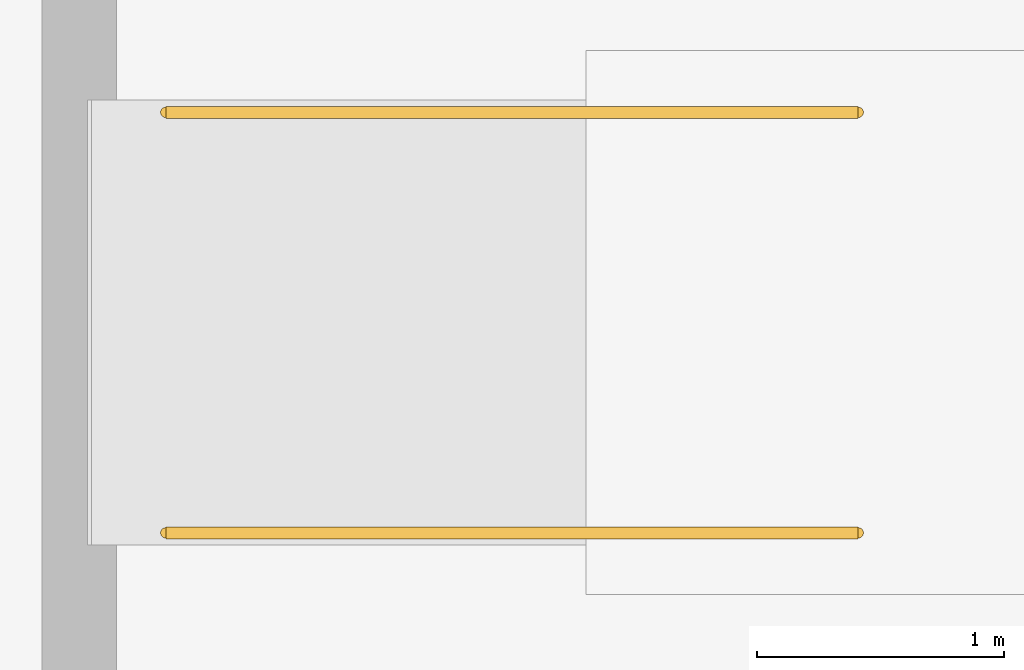
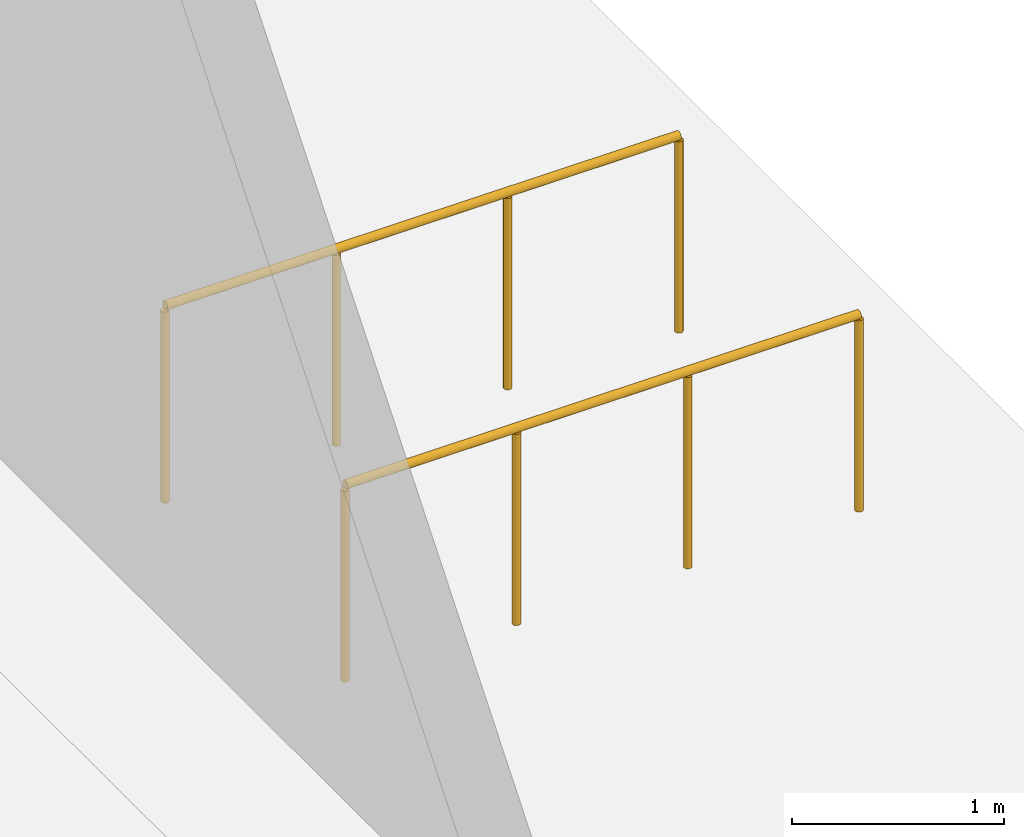
# One storey, part 12 of 13: 2 railings.
"""IFC4 building model written with IfcOpenShell, lengths in metres."""

import ifcopenshell
import ifcopenshell.guid

model = None  # the IFC model being written
_history = None  # IfcOwnerHistory: only IFC2X3 demands one
_inside = {}  # id of a spatial element -> (the spatial element, [elements in it])
_under = {}  # id of a project, library or spatial element -> (it, [spatial elements below it])
_declared = {}  # id of a project -> (the project, [libraries it declares])
_typed = {}  # id of a type object -> (the type object, [elements of that type])
_made_of = {}  # id of a material, layer set ... -> (it, [elements and type objects made of it])


def new_model(schema):
    """Start an empty IFC model of exactly this schema.

    Asked for "IFC4X3", IfcOpenShell would pick the latest addendum, in which some entities
    have other attributes; the version numbers below select the first issue.
    IFC2X3 requires an IfcOwnerHistory on every rooted entity: one is made here for all.
    """
    global model, _history
    if schema == "IFC4X3":
        model = ifcopenshell.file(schema_version=(4, 3, 0, 0))
    else:
        model = ifcopenshell.file(schema=schema)
    _inside.clear()
    _under.clear()
    _declared.clear()
    _typed.clear()
    _made_of.clear()
    _history = None
    if model.schema == "IFC2X3":
        org = make("IfcOrganization", Name="unknown")
        user = make(
            "IfcPersonAndOrganization",
            ThePerson=make("IfcPerson", FamilyName="unknown"),
            TheOrganization=org,
        )
        app = make(
            "IfcApplication",
            ApplicationDeveloper=org,
            Version="unknown",
            ApplicationFullName="unknown",
            ApplicationIdentifier="unknown",
        )
        _history = make(
            "IfcOwnerHistory",
            OwningUser=user,
            OwningApplication=app,
            ChangeAction="ADDED",
            CreationDate=0,
        )
    return model


def make(cls, **values):
    """One entity of the class cls with the attributes given. An attribute that is None is left unset."""
    return model.create_entity(
        cls, **{name: value for name, value in values.items() if value is not None}
    )


def rooted(cls, **values):
    """An entity with a GlobalId (a new one), such as an element, a storey or a relation."""
    return make(cls, GlobalId=ifcopenshell.guid.new(), OwnerHistory=_history, **values)


def si_unit(unit_type, name, prefix=None):
    """IfcSIUnit, for example si_unit("LENGTHUNIT", "METRE", prefix="MILLI")."""
    return make("IfcSIUnit", UnitType=unit_type, Prefix=prefix, Name=name)


def assignment(units):
    """IfcUnitAssignment: the units of a project."""
    return None if units is None else make("IfcUnitAssignment", Units=units)


def point(xyz):
    """IfcCartesianPoint."""
    return None if xyz is None else make("IfcCartesianPoint", Coordinates=xyz)


def direction(xyz):
    """IfcDirection."""
    return None if xyz is None else make("IfcDirection", DirectionRatios=xyz)


def frame(location, z_axis=None, x_axis=None):
    """IfcAxis2Placement3D, a coordinate frame: its origin and axes. An axis left out is left unset."""
    return make(
        "IfcAxis2Placement3D",
        Location=point(location),
        Axis=direction(z_axis),
        RefDirection=direction(x_axis),
    )


def frame_2d(location, x_axis=None):
    """IfcAxis2Placement2D, a coordinate frame in the plane: its origin and x axis."""
    return make(
        "IfcAxis2Placement2D", Location=point(location), RefDirection=direction(x_axis)
    )


def origin():
    """The frame at (0, 0, 0) with its axes left unset."""
    return frame((0.0, 0.0, 0.0))


def origin_2d():
    """The frame at (0, 0) in the plane with its x axis left unset."""
    return frame_2d((0.0, 0.0))


def place(relative_to, where):
    """IfcLocalPlacement: puts the frame where relative to a parent placement (None: the world)."""
    return make(
        "IfcLocalPlacement", PlacementRelTo=relative_to, RelativePlacement=where
    )


def context(
    kind, dimensions, precision=None, world=None, true_north=None, identifier=None
):
    """IfcGeometricRepresentationContext, for example the 3D "Model" context."""
    return make(
        "IfcGeometricRepresentationContext",
        ContextIdentifier=identifier,
        ContextType=kind,
        CoordinateSpaceDimension=dimensions,
        Precision=precision,
        WorldCoordinateSystem=world,
        TrueNorth=true_north,
    )


def subcontext(parent, identifier, kind, view, scale=None):
    """IfcGeometricRepresentationSubContext, for example "Body" below "Model"."""
    return make(
        "IfcGeometricRepresentationSubContext",
        ContextIdentifier=identifier,
        ContextType=kind,
        ParentContext=parent,
        TargetScale=scale,
        TargetView=view,
    )


def project(units=None, contexts=None):
    """IfcProject with its units and contexts."""
    return rooted(
        "IfcProject",
        Name="project",
        RepresentationContexts=contexts,
        UnitsInContext=assignment(units),
    )


def spatial(cls, under=None, at=None, **own):
    """A site, building, storey or space (cls), placed at a placement, below another one or the project."""
    s = rooted(cls, ObjectPlacement=at, **own)
    if under is not None:
        _under.setdefault(under.id(), (under, []))[1].append(s)
    return s


def profile(cls, at=None, kind="AREA", **sizes):
    """A parametric profile (cls). Its sizes go by their IFC names, for example OverallWidth=200.0."""
    return make(cls, ProfileType=kind, Position=at, **sizes)


def circle(**sizes):
    """IfcCircleProfileDef."""
    return profile("IfcCircleProfileDef", **sizes)


def extrude(swept, where, along, depth):
    """IfcExtrudedAreaSolid: the profile swept, set in the frame where, extruded along a direction by depth."""
    return make(
        "IfcExtrudedAreaSolid",
        SweptArea=swept,
        Position=where,
        ExtrudedDirection=direction(along),
        Depth=depth,
    )


def shape(context_of_items, identifier, shape_type, items):
    """IfcShapeRepresentation: the items that make up one representation, for example the "Body"."""
    return make(
        "IfcShapeRepresentation",
        ContextOfItems=context_of_items,
        RepresentationIdentifier=identifier,
        RepresentationType=shape_type,
        Items=items,
    )


def material(Name=None, Category=None):
    """IfcMaterial."""
    return make("IfcMaterial", Name=Name, Category=Category)


def made_of(thing, what):
    """Note that an element or type object is made of a material, layer set ...; save() writes the relation."""
    if what is not None:
        _made_of.setdefault(what.id(), (what, []))[1].append(thing)
    return thing


def type_object(cls, material=None, **own):
    """A type object (cls), such as IfcWallType, which elements share."""
    return made_of(rooted(cls, **own), material)


def element(
    cls,
    number,
    at=None,
    inside=None,
    cuts=None,
    type_object=None,
    material=None,
    context=None,
    identifier="Body",
    shape_type=None,
    held_by="IfcProductDefinitionShape",
    body=None,
    shapes=None,
    **own,
):
    """One element of the class cls, such as IfcWall. Its Tag is "e" and its number.

    at: its placement. inside: the storey or other place that contains it. cuts: it is an
    opening in that element (IfcRelVoidsElement). A single representation is given by context,
    identifier, shape_type and body (its items); several are given by shapes. held_by: the class
    of the entity that holds the representations. save() writes the other relations.
    """
    e = rooted(cls, Tag="e%d" % number, ObjectPlacement=at, **own)
    if body is not None:
        shapes = [shape(context, identifier, shape_type, body)]
    if shapes is not None:
        e.Representation = make(held_by, Representations=shapes)
    if inside is not None:
        _inside.setdefault(inside.id(), (inside, []))[1].append(e)
    if cuts is not None:
        rooted(
            "IfcRelVoidsElement", RelatingBuildingElement=cuts, RelatedOpeningElement=e
        )
    if type_object is not None:
        _typed.setdefault(type_object.id(), (type_object, []))[1].append(e)
    return made_of(e, material)


def aggregate(whole, parts):
    """IfcRelAggregates: a whole, such as a stair, and the parts it consists of."""
    return rooted("IfcRelAggregates", RelatingObject=whole, RelatedObjects=parts)


def save(model, path):
    """Write the relations noted so far, then the file.

    IfcRelAggregates (storeys below a building ...), IfcRelContainedInSpatialStructure (elements
    in a storey), IfcRelDefinesByType, IfcRelAssociatesMaterial and IfcRelDeclares: one each for
    every whole, place, type object, material and project.
    """
    for whole, parts in _under.values():
        aggregate(whole, parts)
    for where, things in _inside.values():
        rooted(
            "IfcRelContainedInSpatialStructure",
            RelatedElements=things,
            RelatingStructure=where,
        )
    for kind, things in _typed.values():
        rooted("IfcRelDefinesByType", RelatedObjects=things, RelatingType=kind)
    for what, things in _made_of.values():
        rooted("IfcRelAssociatesMaterial", RelatedObjects=things, RelatingMaterial=what)
    for by, libraries in _declared.values():
        rooted("IfcRelDeclares", RelatingContext=by, RelatedDefinitions=libraries)
    model.write(path)


model = new_model("IFC4")

# Units and contexts
model_context = context("Model", 3, precision=1e-05, world=origin(), true_north=direction((0.0, 1.0)))
body_context = subcontext(model_context, "Body", "Model", "MODEL_VIEW")
ifc_project = project(units=[si_unit("LENGTHUNIT", "METRE"), si_unit("AREAUNIT", "SQUARE_METRE"), si_unit("VOLUMEUNIT", "CUBIC_METRE"), si_unit("PLANEANGLEUNIT", "RADIAN"), si_unit("MASSUNIT", "GRAM", prefix="KILO")], contexts=[model_context])

# Site, building, storey
site_placement = place(None, origin())
site = spatial("IfcSite", under=ifc_project, at=site_placement, CompositionType="ELEMENT")
building_placement = place(site_placement, origin())
building = spatial("IfcBuilding", under=site, at=building_placement, Name="Calvemar Wedge Station Tower", CompositionType="ELEMENT")
storey_placement = place(building_placement, origin())
storey = spatial("IfcBuildingStorey", under=building, at=storey_placement, Name="L01", CompositionType="ELEMENT", Elevation=0.0)

# Railings
ifc_material = material(Name="Painted steel guardrail ASTM A500 Grade C", Category="steel")
railing_type = type_object("IfcRailingType", Name="RL-STAIR-GUARD-1150", PredefinedType="GUARDRAIL", material=ifc_material)
for number, where, name in (
    (1, (71.0, 21.14990234375, 0.0), "Accessible Ramp Guardrail 1"),
    (2, (71.0, 22.85009765625, 0.0), "Accessible Ramp Guardrail 2"),
):
    element("IfcRailing", number, at=place(storey_placement, frame(where)), inside=storey, type_object=railing_type, Name=name, PredefinedType="GUARDRAIL", context=body_context, shape_type="SweptSolid", body=[
        extrude(circle(Radius=0.02392578125, at=origin_2d()), frame((0.0, 0.0, 1.1259765625), z_axis=(-1.0, 0.0, 0.0), x_axis=(0.0, -1.0, 0.0)), (0.0, 0.0, 1.0), 2.800048828125),
        extrude(circle(Radius=0.02099609375, at=origin_2d()), origin(), (0.0, 0.0, 1.0), 1.101806640625),
        extrude(circle(Radius=0.02099609375, at=origin_2d()), frame((-0.933349609375, 0.0, 0.0)), (0.0, 0.0, 1.0), 1.101806640625),
        extrude(circle(Radius=0.02099609375, at=origin_2d()), frame((-1.86669921875, 0.0, 0.0)), (0.0, 0.0, 1.0), 1.101806640625),
        extrude(circle(Radius=0.02099609375, at=origin_2d()), frame((-2.800048828125, 0.0, 0.0)), (0.0, 0.0, 1.0), 1.101806640625),
    ])

save(model, "model.ifc")
